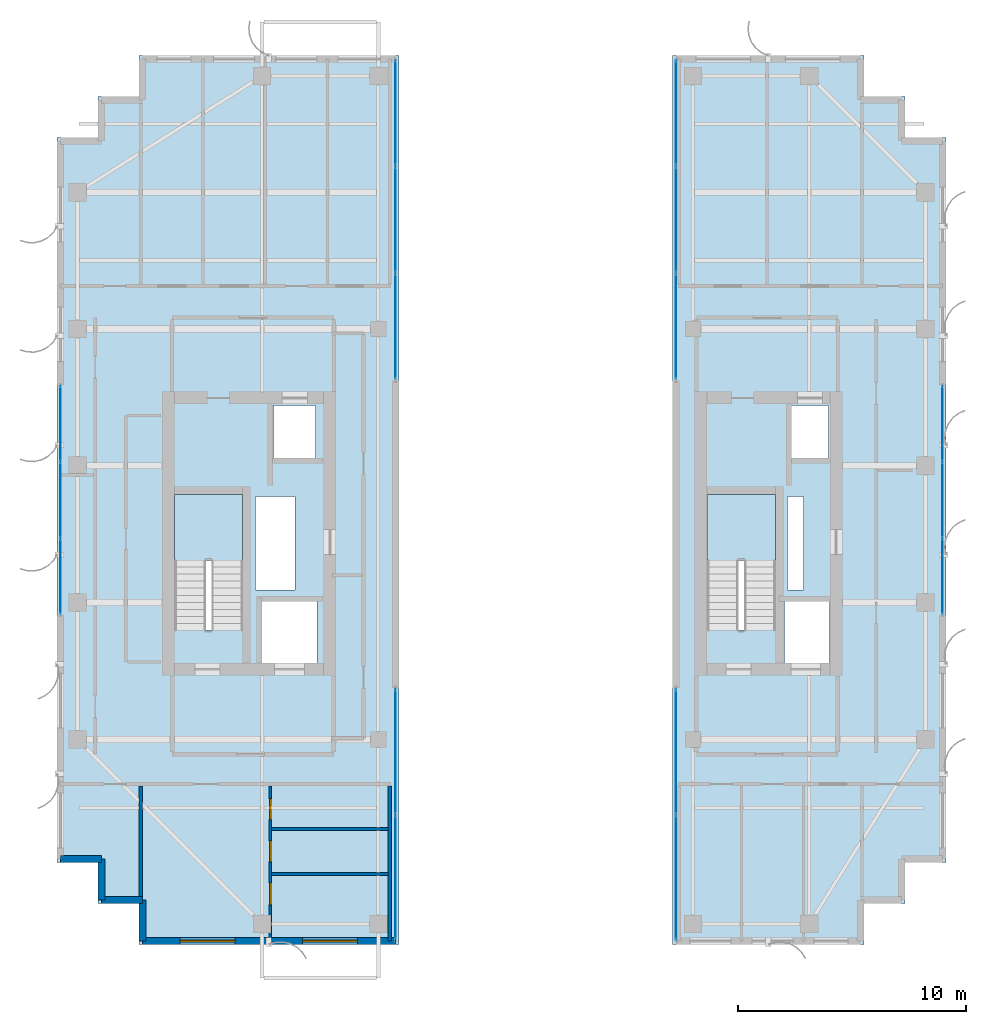
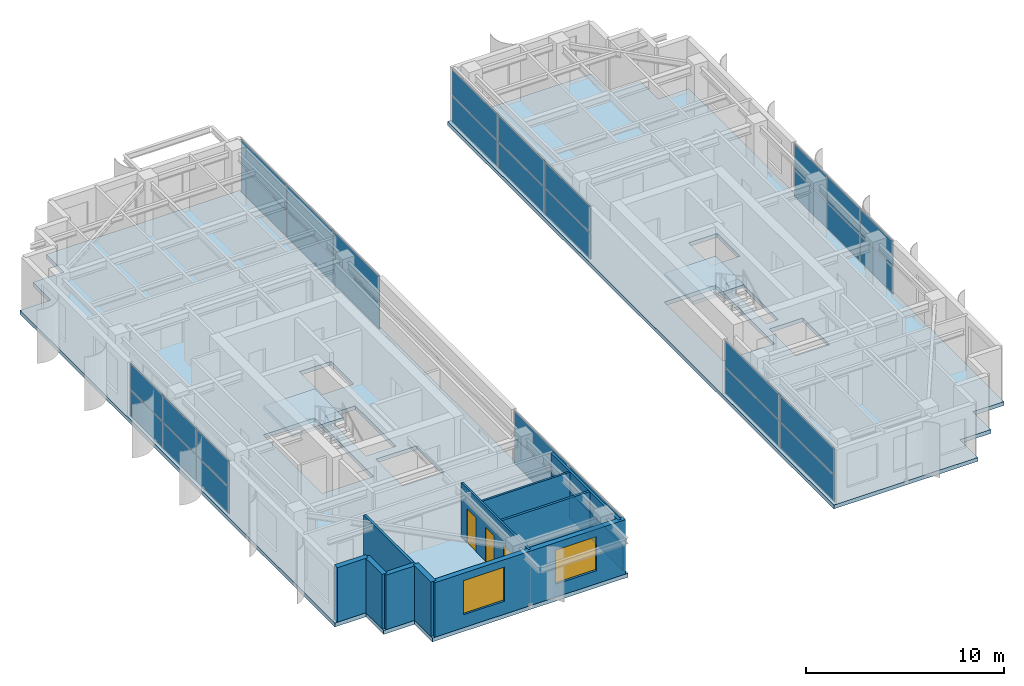
# One storey, part 16 of 22: 32 plates, 10 walls, 4 slabs, 3 doors, 2 windows, 5 openings, 8 elements without a shape of their own.
"""IFC4 building model written with IfcOpenShell, lengths in metres."""

from ifc_helpers import new_model, si_unit, direction, frame, frame_2d, origin, origin_2d, place, context, subcontext, project, spatial, polyline, rectangle, outline, extrude, source, transform, mapped, material, layer, layer_set, type_object, element, fill, aggregate, save


model = new_model("IFC4")

# Units and contexts
model_context = context("Model", 3, precision=1e-05, world=origin(), true_north=direction((0.0, 1.0)))
body_context = subcontext(model_context, "Body", "Model", "MODEL_VIEW")
ifc_project = project(units=[si_unit("LENGTHUNIT", "METRE"), si_unit("AREAUNIT", "SQUARE_METRE"), si_unit("VOLUMEUNIT", "CUBIC_METRE"), si_unit("PLANEANGLEUNIT", "RADIAN"), si_unit("MASSUNIT", "GRAM", prefix="KILO")], contexts=[model_context])

# Site, building, storey
site_placement = place(None, origin())
site = spatial("IfcSite", under=ifc_project, at=site_placement, CompositionType="ELEMENT")
building_placement = place(site_placement, origin())
building = spatial("IfcBuilding", under=site, at=building_placement, Name="Khoralis Quay Care Tower", CompositionType="ELEMENT")
storey_placement = place(building_placement, frame((0.0, 0.0, 242.10009765625)))
storey = spatial("IfcBuildingStorey", under=building, at=storey_placement, Name="L63", CompositionType="ELEMENT", Elevation=242.10009765625)

# Stair, slab
ifc_material_1 = material(Name="Precast concrete C45/55", Category="concrete")
stair_type = type_object("IfcStairType", Name="ST-TWR-DOGLEG-1400", PredefinedType="HALF_TURN_STAIR", material=ifc_material_1)
stair_1_placement = place(storey_placement, origin())
stair_1 = element("IfcStair", 1, at=stair_1_placement, inside=storey, type_object=stair_type, Name="L63 West Core Exit Stair ST-T1", PredefinedType="HALF_TURN_STAIR")
ifc_layer_1 = layer(ifc_material_1, 0.199951171875)
ifc_layer_set_1 = layer_set([ifc_layer_1], Name="Precast concrete C45/55")
slab_type_1 = type_object("IfcSlabType", Name="SLB-LANDING-200", PredefinedType="LANDING", material=ifc_layer_set_1)
slab_1_placement = place(storey_placement, frame((0.0, 0.0, 1.599853515625)))
slab_1 = element("IfcSlab", 2, at=slab_1_placement, type_object=slab_type_1, Name="ST-T1 landing 1", PredefinedType="LANDING", context=body_context, shape_type="SweptSolid", body=[
    extrude(outline(polyline([(11.14990234375, 19.840087890625), (11.14990234375, 22.75), (8.14990234375, 22.75), (8.14990234375, 19.840087890625), (11.14990234375, 19.840087890625)])), origin(), (0.0, 0.0, 1.0), 0.199951171875),
])
aggregate(stair_1, [slab_1])

stair_2_placement = place(storey_placement, origin())
stair_2 = element("IfcStair", 3, at=stair_2_placement, inside=storey, type_object=stair_type, Name="L63 East Core Exit Stair ST-T2", PredefinedType="HALF_TURN_STAIR")
slab_2_placement = place(storey_placement, frame((0.0, 0.0, 1.599853515625)))
slab_2 = element("IfcSlab", 4, at=slab_2_placement, type_object=slab_type_1, Name="ST-T2 landing 1", PredefinedType="LANDING", context=body_context, shape_type="SweptSolid", body=[
    extrude(outline(polyline([(34.52001953125, 19.840087890625), (34.52001953125, 22.75), (31.52001953125, 22.75), (31.52001953125, 19.840087890625), (34.52001953125, 19.840087890625)])), origin(), (0.0, 0.0, 1.0), 0.199951171875),
])
aggregate(stair_2, [slab_2])

# Slabs
ifc_material_2 = material(Name="Concrete C40/50", Category="concrete")
ifc_layer_2 = layer(ifc_material_2, 0.239990234375)
ifc_layer_set_2 = layer_set([ifc_layer_2], Name="Concrete C40/50")
slab_type_2 = type_object("IfcSlabType", Name="SLB-TWR-240", PredefinedType="FLOOR", material=ifc_layer_set_2)
slab_3_placement = place(storey_placement, frame((0.0, 0.0, -0.239990234375)))
element("IfcSlab", 5, at=slab_3_placement, inside=storey, type_object=slab_type_2, Name="Tower Wing 1 Slab L63", PredefinedType="FLOOR", context=body_context, shape_type="SweptSolid", body=[
    extrude(outline(polyline([(6.60009765625, 3.0), (18.0, 3.0), (18.0, 42.0), (6.60009765625, 42.0), (6.60009765625, 40.199951171875), (4.800048828125, 40.199951171875), (4.800048828125, 38.39990234375), (3.0, 38.39990234375), (3.0, 6.60009765625), (4.800048828125, 6.60009765625), (4.800048828125, 4.800048828125), (6.60009765625, 4.800048828125), (6.60009765625, 3.0)]), holes=[polyline([(11.14990234375, 16.800048828125), (11.14990234375, 22.75), (8.14990234375, 22.75), (8.14990234375, 16.800048828125), (11.14990234375, 16.800048828125)]), polyline([(12.0, 15.35009765625), (14.39990234375, 15.35009765625), (14.39990234375, 18.050048828125), (12.0, 18.050048828125), (12.0, 15.35009765625)]), polyline([(12.5, 24.35009765625), (14.35009765625, 24.35009765625), (14.35009765625, 26.64990234375), (12.5, 26.64990234375), (12.5, 24.35009765625)]), polyline([(11.719970703125, 18.550048828125), (13.449951171875, 18.550048828125), (13.449951171875, 22.64990234375), (11.719970703125, 22.64990234375), (11.719970703125, 18.550048828125)])]), origin(), (0.0, 0.0, 1.0), 0.239990234375),
])
slab_4_placement = place(storey_placement, frame((0.0, 0.0, -0.239990234375)))
element("IfcSlab", 6, at=slab_4_placement, inside=storey, type_object=slab_type_2, Name="Tower Wing 2 Slab L63", PredefinedType="FLOOR", context=body_context, shape_type="SweptSolid", body=[
    extrude(outline(polyline([(30.0, 3.0), (38.39990234375, 3.0), (38.39990234375, 4.800048828125), (40.199951171875, 4.800048828125), (40.199951171875, 6.60009765625), (42.0, 6.60009765625), (42.0, 38.39990234375), (40.199951171875, 38.39990234375), (40.199951171875, 40.199951171875), (38.39990234375, 40.199951171875), (38.39990234375, 42.0), (30.0, 42.0), (30.0, 3.0)]), holes=[polyline([(34.52001953125, 16.800048828125), (34.52001953125, 22.75), (31.52001953125, 22.75), (31.52001953125, 16.800048828125), (34.52001953125, 16.800048828125)]), polyline([(34.919921875, 15.35009765625), (36.8798828125, 15.35009765625), (36.8798828125, 18.050048828125), (34.919921875, 18.050048828125), (34.919921875, 15.35009765625)]), polyline([(35.199951171875, 24.35009765625), (36.85009765625, 24.35009765625), (36.85009765625, 26.64990234375), (35.199951171875, 26.64990234375), (35.199951171875, 24.35009765625)]), polyline([(35.050048828125, 18.550048828125), (35.75, 18.550048828125), (35.75, 22.64990234375), (35.050048828125, 22.64990234375), (35.050048828125, 18.550048828125)])]), origin(), (0.0, 0.0, 1.0), 0.239990234375),
])

# Curtain wall, plates
ifc_material_3 = material(Name="Pale anodised aluminium", Category="aluminium")
ifc_layer_3 = layer(ifc_material_3, 0.18994140625)
ifc_layer_set_3 = layer_set([ifc_layer_3], Name="Pale anodised aluminium")
curtain_wall_type_1 = type_object("IfcCurtainWallType", Name="CW-SYS-PORTAL", PredefinedType="NOTDEFINED", material=ifc_layer_set_3)
curtain_wall_1_placement = place(storey_placement, origin())
curtain_wall_1 = element("IfcCurtainWall", 7, at=curtain_wall_1_placement, inside=storey, type_object=curtain_wall_type_1, Name="L63 Unitised Curtain Wall CW-VP-L63-P1-S", PredefinedType="NOTDEFINED")
ifc_material_4 = material(Name="Low-E solar-control double glazing", Category="glass")
ifc_layer_4 = layer(ifc_material_4, 0.031982421875)
ifc_layer_set_4 = layer_set([ifc_layer_4], Name="Low-E solar-control double glazing")
plate_type = type_object("IfcPlateType", Name="PNL-VIS-32", PredefinedType="CURTAIN_PANEL", material=ifc_layer_set_4)
shared_shape_1 = source(origin(), body_context, "Body", "SweptSolid", [
    extrude(rectangle(XDim=5.4599609375, YDim=0.028076171875, at=origin_2d()), origin(), (0.0, 0.0, 1.0), 1.590087890625),
])
plate_1_placement = place(storey_placement, frame((17.85009765625, 5.93994140625, 0.06005859375), z_axis=(0.0, 0.0, 1.0), x_axis=(0.0, 1.0, 0.0)))
plate_1 = element("IfcPlate", 8, at=plate_1_placement, type_object=plate_type, Name="CW4 panel 1.1", PredefinedType="CURTAIN_PANEL", context=body_context, shape_type="MappedRepresentation", body=[
    mapped(shared_shape_1, transform((0.0, 0.0, 0.0), scale=1.0)),
])
plate_2_placement = place(storey_placement, frame((17.85009765625, 5.93994140625, 1.7099609375), z_axis=(0.0, 0.0, 1.0), x_axis=(0.0, 1.0, 0.0)))
plate_2 = element("IfcPlate", 9, at=plate_2_placement, type_object=plate_type, Name="CW4 panel 1.2", PredefinedType="CURTAIN_PANEL", context=body_context, shape_type="MappedRepresentation", body=[
    mapped(shared_shape_1, transform((0.0, 0.0, 0.0), scale=1.0)),
])
plate_3_placement = place(storey_placement, frame((17.85009765625, 11.4599609375, 0.06005859375), z_axis=(0.0, 0.0, 1.0), x_axis=(0.0, 1.0, 0.0)))
plate_3 = element("IfcPlate", 10, at=plate_3_placement, type_object=plate_type, Name="CW4 panel 2.1", PredefinedType="CURTAIN_PANEL", context=body_context, shape_type="MappedRepresentation", body=[
    mapped(shared_shape_1, transform((0.0, 0.0, 0.0), scale=1.0)),
])
plate_4_placement = place(storey_placement, frame((17.85009765625, 11.4599609375, 1.7099609375), z_axis=(0.0, 0.0, 1.0), x_axis=(0.0, 1.0, 0.0)))
plate_4 = element("IfcPlate", 11, at=plate_4_placement, type_object=plate_type, Name="CW4 panel 2.2", PredefinedType="CURTAIN_PANEL", context=body_context, shape_type="MappedRepresentation", body=[
    mapped(shared_shape_1, transform((0.0, 0.0, 0.0), scale=1.0)),
])
aggregate(curtain_wall_1, [plate_1, plate_2, plate_3, plate_4])

curtain_wall_2_placement = place(storey_placement, origin())
curtain_wall_2 = element("IfcCurtainWall", 12, at=curtain_wall_2_placement, inside=storey, type_object=curtain_wall_type_1, Name="L63 Unitised Curtain Wall CW-VP-L63-P2-S", PredefinedType="NOTDEFINED")
plate_5_placement = place(storey_placement, frame((30.14990234375, 5.93994140625, 0.06005859375), z_axis=(0.0, 0.0, 1.0), x_axis=(0.0, 1.0, 0.0)))
plate_5 = element("IfcPlate", 13, at=plate_5_placement, type_object=plate_type, Name="CW4 panel 1.1", PredefinedType="CURTAIN_PANEL", context=body_context, shape_type="MappedRepresentation", body=[
    mapped(shared_shape_1, transform((0.0, 0.0, 0.0), scale=1.0)),
])
plate_6_placement = place(storey_placement, frame((30.14990234375, 5.93994140625, 1.7099609375), z_axis=(0.0, 0.0, 1.0), x_axis=(0.0, 1.0, 0.0)))
plate_6 = element("IfcPlate", 14, at=plate_6_placement, type_object=plate_type, Name="CW4 panel 1.2", PredefinedType="CURTAIN_PANEL", context=body_context, shape_type="MappedRepresentation", body=[
    mapped(shared_shape_1, transform((0.0, 0.0, 0.0), scale=1.0)),
])
plate_7_placement = place(storey_placement, frame((30.14990234375, 11.4599609375, 0.06005859375), z_axis=(0.0, 0.0, 1.0), x_axis=(0.0, 1.0, 0.0)))
plate_7 = element("IfcPlate", 15, at=plate_7_placement, type_object=plate_type, Name="CW4 panel 2.1", PredefinedType="CURTAIN_PANEL", context=body_context, shape_type="MappedRepresentation", body=[
    mapped(shared_shape_1, transform((0.0, 0.0, 0.0), scale=1.0)),
])
plate_8_placement = place(storey_placement, frame((30.14990234375, 11.4599609375, 1.7099609375), z_axis=(0.0, 0.0, 1.0), x_axis=(0.0, 1.0, 0.0)))
plate_8 = element("IfcPlate", 16, at=plate_8_placement, type_object=plate_type, Name="CW4 panel 2.2", PredefinedType="CURTAIN_PANEL", context=body_context, shape_type="MappedRepresentation", body=[
    mapped(shared_shape_1, transform((0.0, 0.0, 0.0), scale=1.0)),
])
aggregate(curtain_wall_2, [plate_5, plate_6, plate_7, plate_8])

curtain_wall_3_placement = place(storey_placement, origin())
curtain_wall_3 = element("IfcCurtainWall", 17, at=curtain_wall_3_placement, inside=storey, type_object=curtain_wall_type_1, Name="L63 Unitised Curtain Wall CW-VP-L63-P1-N", PredefinedType="NOTDEFINED")
shared_shape_2 = source(origin(), body_context, "Body", "SweptSolid", [
    extrude(rectangle(XDim=4.610107421875, YDim=0.028076171875, at=origin_2d()), origin(), (0.0, 0.0, 1.0), 1.590087890625),
])
plate_9_placement = place(storey_placement, frame((17.85009765625, 30.114990234375, 0.06005859375), z_axis=(0.0, 0.0, 1.0), x_axis=(0.0, 1.0, 0.0)))
plate_9 = element("IfcPlate", 18, at=plate_9_placement, type_object=plate_type, Name="CW4 panel 1.1", PredefinedType="CURTAIN_PANEL", context=body_context, shape_type="MappedRepresentation", body=[
    mapped(shared_shape_2, transform((0.0, 0.0, 0.0), scale=1.0)),
])
plate_10_placement = place(storey_placement, frame((17.85009765625, 30.114990234375, 1.7099609375), z_axis=(0.0, 0.0, 1.0), x_axis=(0.0, 1.0, 0.0)))
plate_10 = element("IfcPlate", 19, at=plate_10_placement, type_object=plate_type, Name="CW4 panel 1.2", PredefinedType="CURTAIN_PANEL", context=body_context, shape_type="MappedRepresentation", body=[
    mapped(shared_shape_2, transform((0.0, 0.0, 0.0), scale=1.0)),
])
plate_11_placement = place(storey_placement, frame((17.85009765625, 39.485107421875, 0.06005859375), z_axis=(0.0, 0.0, 1.0), x_axis=(0.0, 1.0, 0.0)))
plate_11 = element("IfcPlate", 20, at=plate_11_placement, type_object=plate_type, Name="CW4 panel 3.1", PredefinedType="CURTAIN_PANEL", context=body_context, shape_type="MappedRepresentation", body=[
    mapped(shared_shape_2, transform((0.0, 0.0, 0.0), scale=1.0)),
])
plate_12_placement = place(storey_placement, frame((17.85009765625, 39.485107421875, 1.7099609375), z_axis=(0.0, 0.0, 1.0), x_axis=(0.0, 1.0, 0.0)))
plate_12 = element("IfcPlate", 21, at=plate_12_placement, type_object=plate_type, Name="CW4 panel 3.2", PredefinedType="CURTAIN_PANEL", context=body_context, shape_type="MappedRepresentation", body=[
    mapped(shared_shape_2, transform((0.0, 0.0, 0.0), scale=1.0)),
])

curtain_wall_4_placement = place(storey_placement, origin())
curtain_wall_4 = element("IfcCurtainWall", 22, at=curtain_wall_4_placement, inside=storey, type_object=curtain_wall_type_1, Name="L63 Unitised Curtain Wall CW-VP-L63-P2-N", PredefinedType="NOTDEFINED")
plate_13_placement = place(storey_placement, frame((30.14990234375, 30.114990234375, 0.06005859375), z_axis=(0.0, 0.0, 1.0), x_axis=(0.0, 1.0, 0.0)))
plate_13 = element("IfcPlate", 23, at=plate_13_placement, type_object=plate_type, Name="CW4 panel 1.1", PredefinedType="CURTAIN_PANEL", context=body_context, shape_type="MappedRepresentation", body=[
    mapped(shared_shape_2, transform((0.0, 0.0, 0.0), scale=1.0)),
])
plate_14_placement = place(storey_placement, frame((30.14990234375, 30.114990234375, 1.7099609375), z_axis=(0.0, 0.0, 1.0), x_axis=(0.0, 1.0, 0.0)))
plate_14 = element("IfcPlate", 24, at=plate_14_placement, type_object=plate_type, Name="CW4 panel 1.2", PredefinedType="CURTAIN_PANEL", context=body_context, shape_type="MappedRepresentation", body=[
    mapped(shared_shape_2, transform((0.0, 0.0, 0.0), scale=1.0)),
])
plate_15_placement = place(storey_placement, frame((30.14990234375, 39.485107421875, 0.06005859375), z_axis=(0.0, 0.0, 1.0), x_axis=(0.0, 1.0, 0.0)))
plate_15 = element("IfcPlate", 25, at=plate_15_placement, type_object=plate_type, Name="CW4 panel 3.1", PredefinedType="CURTAIN_PANEL", context=body_context, shape_type="MappedRepresentation", body=[
    mapped(shared_shape_2, transform((0.0, 0.0, 0.0), scale=1.0)),
])
plate_16_placement = place(storey_placement, frame((30.14990234375, 39.485107421875, 1.7099609375), z_axis=(0.0, 0.0, 1.0), x_axis=(0.0, 1.0, 0.0)))
plate_16 = element("IfcPlate", 26, at=plate_16_placement, type_object=plate_type, Name="CW4 panel 3.2", PredefinedType="CURTAIN_PANEL", context=body_context, shape_type="MappedRepresentation", body=[
    mapped(shared_shape_2, transform((0.0, 0.0, 0.0), scale=1.0)),
])

# Plate
shared_shape_3 = source(origin(), body_context, "Body", "SweptSolid", [
    extrude(rectangle(XDim=4.639892578125, YDim=0.028076171875, at=origin_2d()), origin(), (0.0, 0.0, 1.0), 1.590087890625),
])
plate_17_placement = place(storey_placement, frame((17.85009765625, 34.800048828125, 0.06005859375), z_axis=(0.0, 0.0, 1.0), x_axis=(0.0, 1.0, 0.0)))
plate_17 = element("IfcPlate", 27, at=plate_17_placement, type_object=plate_type, Name="CW4 panel 2.1", PredefinedType="CURTAIN_PANEL", context=body_context, shape_type="MappedRepresentation", body=[
    mapped(shared_shape_3, transform((0.0, 0.0, 0.0), scale=1.0)),
])

plate_18_placement = place(storey_placement, frame((17.85009765625, 34.800048828125, 1.7099609375), z_axis=(0.0, 0.0, 1.0), x_axis=(0.0, 1.0, 0.0)))
plate_18 = element("IfcPlate", 28, at=plate_18_placement, type_object=plate_type, Name="CW4 panel 2.2", PredefinedType="CURTAIN_PANEL", context=body_context, shape_type="MappedRepresentation", body=[
    mapped(shared_shape_3, transform((0.0, 0.0, 0.0), scale=1.0)),
])

aggregate(curtain_wall_3, [plate_9, plate_10, plate_17, plate_18, plate_11, plate_12])

plate_19_placement = place(storey_placement, frame((30.14990234375, 34.800048828125, 0.06005859375), z_axis=(0.0, 0.0, 1.0), x_axis=(0.0, 1.0, 0.0)))
plate_19 = element("IfcPlate", 29, at=plate_19_placement, type_object=plate_type, Name="CW4 panel 2.1", PredefinedType="CURTAIN_PANEL", context=body_context, shape_type="MappedRepresentation", body=[
    mapped(shared_shape_3, transform((0.0, 0.0, 0.0), scale=1.0)),
])

plate_20_placement = place(storey_placement, frame((30.14990234375, 34.800048828125, 1.7099609375), z_axis=(0.0, 0.0, 1.0), x_axis=(0.0, 1.0, 0.0)))
plate_20 = element("IfcPlate", 30, at=plate_20_placement, type_object=plate_type, Name="CW4 panel 2.2", PredefinedType="CURTAIN_PANEL", context=body_context, shape_type="MappedRepresentation", body=[
    mapped(shared_shape_3, transform((0.0, 0.0, 0.0), scale=1.0)),
])

aggregate(curtain_wall_4, [plate_13, plate_14, plate_19, plate_20, plate_15, plate_16])

# Curtain wall, plates
ifc_layer_5 = layer(ifc_material_3, 0.159912109375)
ifc_layer_set_5 = layer_set([ifc_layer_5], Name="Pale anodised aluminium")
curtain_wall_type_2 = type_object("IfcCurtainWallType", Name="CW-SYS-Z3", PredefinedType="NOTDEFINED", material=ifc_layer_set_5)
curtain_wall_5_placement = place(storey_placement, origin())
curtain_wall_5 = element("IfcCurtainWall", 31, at=curtain_wall_5_placement, inside=storey, type_object=curtain_wall_type_2, Name="L63 Unitised Curtain Wall CW-L63-P1-E7", PredefinedType="NOTDEFINED")
shared_shape_4 = source(origin(), body_context, "Body", "SweptSolid", [
    extrude(rectangle(XDim=3.27001953125, YDim=0.028076171875, at=origin_2d()), origin(), (0.0, 0.0, 1.0), 1.590087890625),
])
plate_21_placement = place(storey_placement, frame((3.14990234375, 25.844970703125, 0.06005859375), z_axis=(0.0, 0.0, 1.0), x_axis=(0.0, -1.0, 0.0)))
plate_21 = element("IfcPlate", 32, at=plate_21_placement, type_object=plate_type, Name="CW3 panel 1.1", PredefinedType="CURTAIN_PANEL", context=body_context, shape_type="MappedRepresentation", body=[
    mapped(shared_shape_4, transform((0.0, 0.0, 0.0), scale=1.0)),
])
plate_22_placement = place(storey_placement, frame((3.14990234375, 25.844970703125, 1.7099609375), z_axis=(0.0, 0.0, 1.0), x_axis=(0.0, -1.0, 0.0)))
plate_22 = element("IfcPlate", 33, at=plate_22_placement, type_object=plate_type, Name="CW3 panel 1.2", PredefinedType="CURTAIN_PANEL", context=body_context, shape_type="MappedRepresentation", body=[
    mapped(shared_shape_4, transform((0.0, 0.0, 0.0), scale=1.0)),
])
plate_23_placement = place(storey_placement, frame((3.14990234375, 19.155029296875, 0.06005859375), z_axis=(0.0, 0.0, 1.0), x_axis=(0.0, -1.0, 0.0)))
plate_23 = element("IfcPlate", 34, at=plate_23_placement, type_object=plate_type, Name="CW3 panel 3.1", PredefinedType="CURTAIN_PANEL", context=body_context, shape_type="MappedRepresentation", body=[
    mapped(shared_shape_4, transform((0.0, 0.0, 0.0), scale=1.0)),
])
plate_24_placement = place(storey_placement, frame((3.14990234375, 19.155029296875, 1.7099609375), z_axis=(0.0, 0.0, 1.0), x_axis=(0.0, -1.0, 0.0)))
plate_24 = element("IfcPlate", 35, at=plate_24_placement, type_object=plate_type, Name="CW3 panel 3.2", PredefinedType="CURTAIN_PANEL", context=body_context, shape_type="MappedRepresentation", body=[
    mapped(shared_shape_4, transform((0.0, 0.0, 0.0), scale=1.0)),
])

curtain_wall_6_placement = place(storey_placement, origin())
curtain_wall_6 = element("IfcCurtainWall", 36, at=curtain_wall_6_placement, inside=storey, type_object=curtain_wall_type_2, Name="L63 Unitised Curtain Wall CW-L63-P2-E5", PredefinedType="NOTDEFINED")
plate_25_placement = place(storey_placement, frame((41.85009765625, 19.155029296875, 0.06005859375), z_axis=(0.0, 0.0, 1.0), x_axis=(0.0, 1.0, 0.0)))
plate_25 = element("IfcPlate", 37, at=plate_25_placement, type_object=plate_type, Name="CW3 panel 1.1", PredefinedType="CURTAIN_PANEL", context=body_context, shape_type="MappedRepresentation", body=[
    mapped(shared_shape_4, transform((0.0, 0.0, 0.0), scale=1.0)),
])
plate_26_placement = place(storey_placement, frame((41.85009765625, 19.155029296875, 1.7099609375), z_axis=(0.0, 0.0, 1.0), x_axis=(0.0, 1.0, 0.0)))
plate_26 = element("IfcPlate", 38, at=plate_26_placement, type_object=plate_type, Name="CW3 panel 1.2", PredefinedType="CURTAIN_PANEL", context=body_context, shape_type="MappedRepresentation", body=[
    mapped(shared_shape_4, transform((0.0, 0.0, 0.0), scale=1.0)),
])
plate_27_placement = place(storey_placement, frame((41.85009765625, 25.844970703125, 0.06005859375), z_axis=(0.0, 0.0, 1.0), x_axis=(0.0, 1.0, 0.0)))
plate_27 = element("IfcPlate", 39, at=plate_27_placement, type_object=plate_type, Name="CW3 panel 3.1", PredefinedType="CURTAIN_PANEL", context=body_context, shape_type="MappedRepresentation", body=[
    mapped(shared_shape_4, transform((0.0, 0.0, 0.0), scale=1.0)),
])
plate_28_placement = place(storey_placement, frame((41.85009765625, 25.844970703125, 1.7099609375), z_axis=(0.0, 0.0, 1.0), x_axis=(0.0, 1.0, 0.0)))
plate_28 = element("IfcPlate", 40, at=plate_28_placement, type_object=plate_type, Name="CW3 panel 3.2", PredefinedType="CURTAIN_PANEL", context=body_context, shape_type="MappedRepresentation", body=[
    mapped(shared_shape_4, transform((0.0, 0.0, 0.0), scale=1.0)),
])

# Plate
shared_shape_5 = source(origin(), body_context, "Body", "SweptSolid", [
    extrude(rectangle(XDim=3.300048828125, YDim=0.028076171875, at=origin_2d()), origin(), (0.0, 0.0, 1.0), 1.590087890625),
])
plate_29_placement = place(storey_placement, frame((3.14990234375, 22.5, 0.06005859375), z_axis=(0.0, 0.0, 1.0), x_axis=(0.0, -1.0, 0.0)))
plate_29 = element("IfcPlate", 41, at=plate_29_placement, type_object=plate_type, Name="CW3 panel 2.1", PredefinedType="CURTAIN_PANEL", context=body_context, shape_type="MappedRepresentation", body=[
    mapped(shared_shape_5, transform((0.0, 0.0, 0.0), scale=1.0)),
])

plate_30_placement = place(storey_placement, frame((3.14990234375, 22.5, 1.7099609375), z_axis=(0.0, 0.0, 1.0), x_axis=(0.0, -1.0, 0.0)))
plate_30 = element("IfcPlate", 42, at=plate_30_placement, type_object=plate_type, Name="CW3 panel 2.2", PredefinedType="CURTAIN_PANEL", context=body_context, shape_type="MappedRepresentation", body=[
    mapped(shared_shape_5, transform((0.0, 0.0, 0.0), scale=1.0)),
])

aggregate(curtain_wall_5, [plate_21, plate_22, plate_29, plate_30, plate_23, plate_24])

plate_31_placement = place(storey_placement, frame((41.85009765625, 22.5, 0.06005859375), z_axis=(0.0, 0.0, 1.0), x_axis=(0.0, 1.0, 0.0)))
plate_31 = element("IfcPlate", 43, at=plate_31_placement, type_object=plate_type, Name="CW3 panel 2.1", PredefinedType="CURTAIN_PANEL", context=body_context, shape_type="MappedRepresentation", body=[
    mapped(shared_shape_5, transform((0.0, 0.0, 0.0), scale=1.0)),
])

plate_32_placement = place(storey_placement, frame((41.85009765625, 22.5, 1.7099609375), z_axis=(0.0, 0.0, 1.0), x_axis=(0.0, 1.0, 0.0)))
plate_32 = element("IfcPlate", 44, at=plate_32_placement, type_object=plate_type, Name="CW3 panel 2.2", PredefinedType="CURTAIN_PANEL", context=body_context, shape_type="MappedRepresentation", body=[
    mapped(shared_shape_5, transform((0.0, 0.0, 0.0), scale=1.0)),
])

aggregate(curtain_wall_6, [plate_25, plate_26, plate_31, plate_32, plate_27, plate_28])

# Wall, openings, windows
ifc_layer_6 = layer(ifc_material_1, 0.300048828125)
ifc_layer_set_6 = layer_set([ifc_layer_6], Name="Precast concrete C45/55")
wall_type_1 = type_object("IfcWallType", Name="WL-EXT-REF-300", PredefinedType="SOLIDWALL", material=ifc_layer_set_6)
wall_1_placement = place(storey_placement, frame((6.75, 3.14990234375, 0.0), z_axis=(0.0, 0.0, 1.0), x_axis=(1.0, 0.0, 0.0)))
wall_1 = element("IfcWall", 45, at=wall_1_placement, inside=storey, type_object=wall_type_1, Name="L63 External Facade Wall WL-EXT-L63-P1-E0", PredefinedType="SOLIDWALL", context=body_context, shape_type="SweptSolid", body=[
    extrude(rectangle(XDim=11.10009765625, YDim=0.300048828125, at=frame_2d((5.550048828125, 0.0))), origin(), (0.0, 0.0, 1.0), 3.35986328125),
])
opening_1_placement = place(wall_1_placement, frame((1.654052734375, 0.0, 0.800048828125)))
opening_1 = element("IfcOpeningElement", 46, at=opening_1_placement, cuts=wall_1, Name="Opening W1", PredefinedType="OPENING", context=body_context, shape_type="SweptSolid", body=[
    extrude(rectangle(XDim=2.39990234375, YDim=2.10009765625, at=frame_2d((1.199951171875, 1.050048828125))), frame((0.0, 0.16015625, 0.0), z_axis=(0.0, -1.0, 0.0), x_axis=(1.0, 0.0, 0.0)), (0.0, 0.0, 1.0), 0.320068359375),
])
opening_2_placement = place(wall_1_placement, frame((7.029052734375, 0.0, 0.800048828125)))
opening_2 = element("IfcOpeningElement", 47, at=opening_2_placement, cuts=wall_1, Name="Opening W1", PredefinedType="OPENING", context=body_context, shape_type="SweptSolid", body=[
    extrude(rectangle(XDim=2.39990234375, YDim=2.10009765625, at=frame_2d((1.199951171875, 1.050048828125))), frame((0.0, 0.16015625, 0.0), z_axis=(0.0, -1.0, 0.0), x_axis=(1.0, 0.0, 0.0)), (0.0, 0.0, 1.0), 0.320068359375),
])
window_type = type_object("IfcWindowType", Name="WN-POD-2400X2100", PartitioningType="SINGLE_PANEL", PredefinedType="WINDOW", material=ifc_material_4)
shared_shape_6 = source(origin(), body_context, "Body", "SweptSolid", [
    extrude(rectangle(XDim=2.39990234375, YDim=2.10009765625, at=frame_2d((1.199951171875, 1.050048828125))), frame((0.0, 0.030029296875, 0.0), z_axis=(0.0, -1.0, 0.0), x_axis=(1.0, 0.0, 0.0)), (0.0, 0.0, 1.0), 0.06005859375),
])
window_1_placement = place(opening_1_placement, origin())
window_1 = element("IfcWindow", 48, at=window_1_placement, inside=storey, type_object=window_type, Name="WN-L63-P1-E0 Facade Window 01", OverallHeight=2.10009765625, OverallWidth=2.39990234375, PartitioningType="SINGLE_PANEL", PredefinedType="WINDOW", context=body_context, shape_type="MappedRepresentation", body=[
    mapped(shared_shape_6, transform((0.0, 0.0, 0.0), scale=1.0)),
])
fill(opening_1, window_1)
window_2_placement = place(opening_2_placement, origin())
window_2 = element("IfcWindow", 49, at=window_2_placement, inside=storey, type_object=window_type, Name="WN-L63-P1-E0 Facade Window 02", OverallHeight=2.10009765625, OverallWidth=2.39990234375, PartitioningType="SINGLE_PANEL", PredefinedType="WINDOW", context=body_context, shape_type="MappedRepresentation", body=[
    mapped(shared_shape_6, transform((0.0, 0.0, 0.0), scale=1.0)),
])
fill(opening_2, window_2)

# Walls
for number, where, z_axis, x_axis, name in (
    (50, (3.14990234375, 6.75, 0.0), (0.0, 0.0, 1.0), (1.0, 0.0, 0.0), "L63 External Facade Wall WL-EXT-L63-P1-C8"),
    (51, (4.949951171875, 6.75, 0.0), (0.0, 0.0, 1.0), (0.0, -1.0, 0.0), "L63 External Facade Wall WL-EXT-L63-P1-C9"),
    (52, (4.949951171875, 4.949951171875, 0.0), (0.0, 0.0, 1.0), (1.0, 0.0, 0.0), "L63 External Facade Wall WL-EXT-L63-P1-C10"),
    (53, (6.75, 4.949951171875, 0.0), (0.0, 0.0, 1.0), (0.0, -1.0, 0.0), "L63 External Facade Wall WL-EXT-L63-P1-C11"),
):
    element("IfcWall", number, at=place(storey_placement, frame(where, z_axis=z_axis, x_axis=x_axis)), inside=storey, type_object=wall_type_1, Name=name, PredefinedType="SOLIDWALL", context=body_context, shape_type="SweptSolid", body=[
        extrude(rectangle(XDim=1.800048828125, YDim=0.300048828125, at=frame_2d((0.89990234375, 0.0))), origin(), (0.0, 0.0, 1.0), 3.35986328125),
    ])

# Wall, openings, doors
ifc_material_5 = material(Name="Gypsum plasterboard on acoustic metal stud")
ifc_layer_7 = layer(ifc_material_5, 0.114990234375)
ifc_layer_set_7 = layer_set([ifc_layer_7], Name="Gypsum plasterboard on acoustic metal stud")
wall_type_2 = type_object("IfcWallType", Name="WL-PART-115", PredefinedType="PARTITIONING", material=ifc_layer_set_7)
wall_2_placement = place(storey_placement, frame((12.35791015625, 3.14501953125, 0.0), z_axis=(0.0, 0.0, 1.0), x_axis=(0.0, 1.0, 0.0)))
wall_2 = element("IfcWall", 54, at=wall_2_placement, inside=storey, type_object=wall_type_2, Name="L63 Unit 0 Internal Wall", PredefinedType="PARTITIONING", context=body_context, shape_type="SweptSolid", body=[
    extrude(rectangle(XDim=6.8173828125, YDim=0.114990234375, at=frame_2d((3.40869140625, 0.0))), origin(), (0.0, 0.0, 1.0), 3.35986328125),
])
opening_3_placement = place(wall_2_placement, frame((1.60400390625, 0.0, 0.0)))
opening_3 = element("IfcOpeningElement", 55, at=opening_3_placement, cuts=wall_2, Name="Opening ID1", PredefinedType="OPENING", context=body_context, shape_type="SweptSolid", body=[
    extrude(rectangle(XDim=0.949951171875, YDim=2.10009765625, at=frame_2d((0.47509765625, 1.050048828125))), frame((0.0, 0.0673828125, 0.0), z_axis=(0.0, -1.0, 0.0), x_axis=(1.0, 0.0, 0.0)), (0.0, 0.0, 1.0), 0.135009765625),
])
opening_4_placement = place(wall_2_placement, frame((3.488525390625, 0.0, 0.0)))
opening_4 = element("IfcOpeningElement", 56, at=opening_4_placement, cuts=wall_2, Name="Opening WD1", PredefinedType="OPENING", context=body_context, shape_type="SweptSolid", body=[
    extrude(rectangle(XDim=0.89990234375, YDim=2.10009765625, at=frame_2d((0.449951171875, 1.050048828125))), frame((0.0, 0.0673828125, 0.0), z_axis=(0.0, -1.0, 0.0), x_axis=(1.0, 0.0, 0.0)), (0.0, 0.0, 1.0), 0.135009765625),
])
opening_5_placement = place(wall_2_placement, frame((5.344482421875, 0.0, 0.0)))
opening_5 = element("IfcOpeningElement", 57, at=opening_5_placement, cuts=wall_2, Name="Opening WD1", PredefinedType="OPENING", context=body_context, shape_type="SweptSolid", body=[
    extrude(rectangle(XDim=0.89990234375, YDim=2.10009765625, at=frame_2d((0.449951171875, 1.050048828125))), frame((0.0, 0.0673828125, 0.0), z_axis=(0.0, -1.0, 0.0), x_axis=(1.0, 0.0, 0.0)), (0.0, 0.0, 1.0), 0.135009765625),
])
ifc_material_6 = material(Name="Acoustic hardwood timber", Category="wood")
door_type_1 = type_object("IfcDoorType", Name="DR-BATH-900X2100", OperationType="NOTDEFINED", PredefinedType="DOOR", material=ifc_material_6)
shared_shape_7 = source(origin(), body_context, "Body", "SweptSolid", [
    extrude(rectangle(XDim=0.89990234375, YDim=2.10009765625, at=frame_2d((0.449951171875, 1.050048828125))), frame((0.0, 0.02490234375, 0.0), z_axis=(0.0, -1.0, 0.0), x_axis=(1.0, 0.0, 0.0)), (0.0, 0.0, 1.0), 0.050048828125),
])
door_1_placement = place(opening_4_placement, frame((0.89990234375, 0.0, 0.0), z_axis=(0.0, 0.0, 1.0), x_axis=(-1.0, 0.0, 0.0)))
door_1 = element("IfcDoor", 58, at=door_1_placement, inside=storey, type_object=door_type_1, Name="L63 Apartment WS0 KIT Door", OperationType="SINGLE_SWING_RIGHT", OverallHeight=2.10009765625, OverallWidth=0.89990234375, PredefinedType="DOOR", context=body_context, shape_type="MappedRepresentation", body=[
    mapped(shared_shape_7, transform((0.0, 0.0, 0.0), scale=1.0)),
])
fill(opening_4, door_1)
door_2_placement = place(opening_5_placement, frame((0.89990234375, 0.0, 0.0), z_axis=(0.0, 0.0, 1.0), x_axis=(-1.0, 0.0, 0.0)))
door_2 = element("IfcDoor", 59, at=door_2_placement, inside=storey, type_object=door_type_1, Name="L63 Apartment WS0 BTH Door", OperationType="SINGLE_SWING_LEFT", OverallHeight=2.10009765625, OverallWidth=0.89990234375, PredefinedType="DOOR", context=body_context, shape_type="MappedRepresentation", body=[
    mapped(shared_shape_7, transform((0.0, 0.0, 0.0), scale=1.0)),
])
fill(opening_5, door_2)
door_type_2 = type_object("IfcDoorType", Name="DR-ROOM-950X2100", OperationType="NOTDEFINED", PredefinedType="DOOR", material=ifc_material_6)
shared_shape_8 = source(origin(), body_context, "Body", "SweptSolid", [
    extrude(rectangle(XDim=0.949951171875, YDim=2.10009765625, at=frame_2d((0.47509765625, 1.050048828125))), frame((0.0, 0.02490234375, 0.0), z_axis=(0.0, -1.0, 0.0), x_axis=(1.0, 0.0, 0.0)), (0.0, 0.0, 1.0), 0.050048828125),
])
door_3_placement = place(opening_3_placement, frame((0.949951171875, 0.0, 0.0), z_axis=(0.0, 0.0, 1.0), x_axis=(-1.0, 0.0, 0.0)))
door_3 = element("IfcDoor", 60, at=door_3_placement, inside=storey, type_object=door_type_2, Name="L63 Apartment WS0 BED Door", OperationType="SINGLE_SWING_LEFT", OverallHeight=2.10009765625, OverallWidth=0.949951171875, PredefinedType="DOOR", context=body_context, shape_type="MappedRepresentation", body=[
    mapped(shared_shape_8, transform((0.0, 0.0, 0.0), scale=1.0)),
])
fill(opening_3, door_3)

# Walls
wall_3_placement = place(storey_placement, frame((12.410400390625, 8.069091796875, 0.0), z_axis=(0.0, 0.0, 1.0), x_axis=(1.0, 0.0, 0.0)))
element("IfcWall", 61, at=wall_3_placement, inside=storey, type_object=wall_type_2, Name="L63 Unit 0 Kitchen Wall", PredefinedType="PARTITIONING", context=body_context, shape_type="SweptSolid", body=[
    extrude(rectangle(XDim=5.12451171875, YDim=0.114990234375, at=frame_2d((2.562255859375, 0.0))), origin(), (0.0, 0.0, 1.0), 3.35986328125),
])
ifc_material_7 = material(Name="Moisture-resistant gypsum and ceramic tile")
ifc_layer_8 = layer(ifc_material_7, 0.280029296875)
ifc_layer_set_8 = layer_set([ifc_layer_8], Name="Moisture-resistant gypsum and ceramic tile")
wall_type_3 = type_object("IfcWallType", Name="WL-PLUMB-280", PredefinedType="PLUMBINGWALL", material=ifc_layer_set_8)
wall_4_placement = place(storey_placement, frame((12.410400390625, 6.097900390625, 0.0), z_axis=(0.0, 0.0, 1.0), x_axis=(1.0, 0.0, 0.0)))
element("IfcWall", 62, at=wall_4_placement, inside=storey, type_object=wall_type_3, Name="L63 Unit 0 Wet Wall", PredefinedType="PLUMBINGWALL", context=body_context, shape_type="SweptSolid", body=[
    extrude(rectangle(XDim=5.12451171875, YDim=0.139892578125, at=frame_2d((2.562255859375, 0.0))), origin(), (0.0, 0.0, 1.0), 3.35986328125),
])
ifc_layer_9 = layer(ifc_material_5, 0.139892578125)
ifc_layer_set_9 = layer_set([ifc_layer_9], Name="Gypsum plasterboard on acoustic metal stud")
wall_type_4 = type_object("IfcWallType", Name="WL-UNIT-140", PredefinedType="PARTITIONING", material=ifc_layer_set_9)
wall_5_placement = place(storey_placement, frame((6.679931640625, 4.945068359375, 0.0), z_axis=(0.0, 0.0, 1.0), x_axis=(0.0, 1.0, 0.0)))
element("IfcWall", 63, at=wall_5_placement, inside=storey, type_object=wall_type_4, Name="L63 WS Demising Wall 0", PredefinedType="PARTITIONING", context=body_context, shape_type="SweptSolid", body=[
    extrude(rectangle(XDim=5.017333984375, YDim=0.139892578125, at=frame_2d((2.5087890625, 0.0))), origin(), (0.0, 0.0, 1.0), 3.35986328125),
])
wall_6_placement = place(storey_placement, frame((17.60009765625, 3.14501953125, 0.0), z_axis=(0.0, 0.0, 1.0), x_axis=(0.0, 1.0, 0.0)))
element("IfcWall", 64, at=wall_6_placement, inside=storey, type_object=wall_type_4, Name="L63 WS Demising Wall 1", PredefinedType="PARTITIONING", context=body_context, shape_type="SweptSolid", body=[
    extrude(rectangle(XDim=6.8173828125, YDim=0.139892578125, at=frame_2d((3.40869140625, 0.0))), origin(), (0.0, 0.0, 1.0), 3.35986328125),
])

save(model, "model.ifc")
